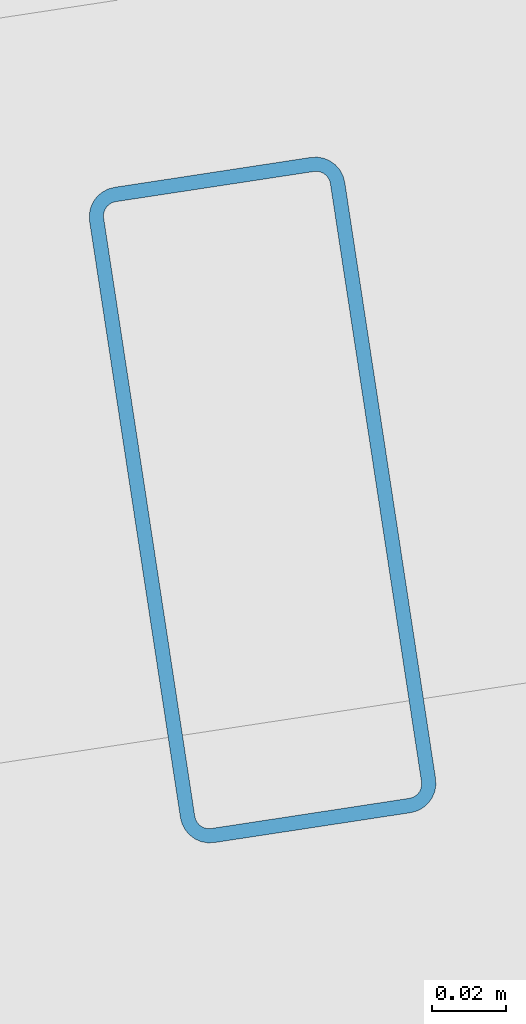
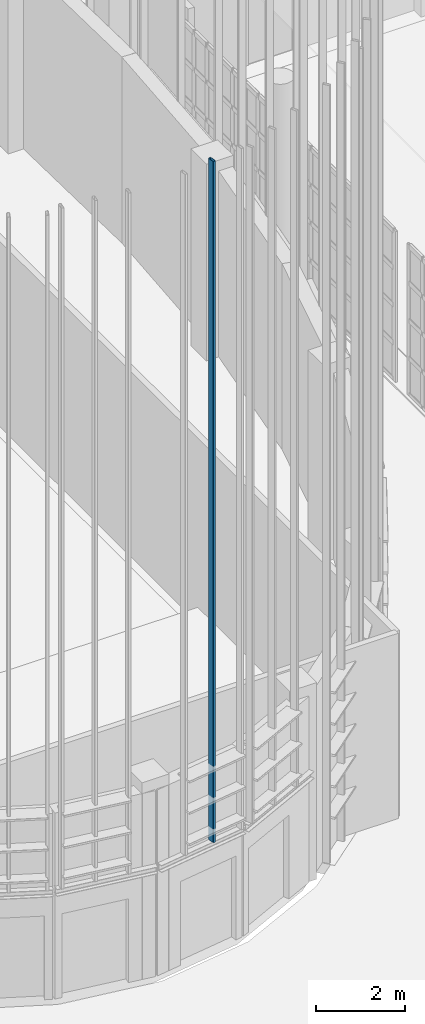
# One storey, part 144 of 372: 1 member.
"""IFC4 building model written with IfcOpenShell, lengths in metres."""

from ifc_helpers import new_model, si_unit, direction, frame, origin, origin_2d, place, context, subcontext, project, spatial, hollow_rectangle, extrude, material, material_profile, profile_set, type_object, element, save


model = new_model("IFC4")

# Units and contexts
model_context = context("Model", 3, precision=1e-05, world=origin(), true_north=direction((0.0, 1.0)))
body_context = subcontext(model_context, "Body", "Model", "MODEL_VIEW")
ifc_project = project(units=[si_unit("LENGTHUNIT", "METRE"), si_unit("AREAUNIT", "SQUARE_METRE"), si_unit("VOLUMEUNIT", "CUBIC_METRE"), si_unit("PLANEANGLEUNIT", "RADIAN"), si_unit("MASSUNIT", "GRAM", prefix="KILO")], contexts=[model_context])

# Site, building, storey
site_placement = place(None, origin())
site = spatial("IfcSite", under=ifc_project, at=site_placement, CompositionType="ELEMENT")
building_placement = place(site_placement, origin())
building = spatial("IfcBuilding", under=site, at=building_placement, Name="Kaelora Sail Theatre", CompositionType="ELEMENT")
storey_placement = place(building_placement, origin())
storey = spatial("IfcBuildingStorey", under=building, at=storey_placement, Name="L00", CompositionType="ELEMENT", Elevation=0.0)

# Member
ifc_material = material(Name="Anodised aluminium 6063-T6", Category="aluminium")
ifc_material_profile = material_profile(ifc_material, hollow_rectangle(XDim=0.070068359375, YDim=0.179931640625, WallThickness=0.00390625, InnerFilletRadius=0.00390625, OuterFilletRadius=0.008056640625, at=origin_2d()), Name="ALU-MULL 70x180x4")
ifc_profile_set = profile_set([ifc_material_profile], Name="Anodised aluminium 6063-T6")
member_type = type_object("IfcMemberType", Name="ARC-MEM-PST-160", PredefinedType="POST", material=ifc_profile_set)
member_placement = place(storey_placement, frame((92.1240234375, 31.22900390625, 3.10009765625), z_axis=(0.0, 0.0, 1.0), x_axis=(-0.988599245884, -0.150570684524, 0.0)))
element("IfcMember", 1, at=member_placement, inside=storey, type_object=member_type, Name="Studio Theatre Sail Drum solar louvre vertical support post C10-2", PredefinedType="POST", context=body_context, shape_type="SweptSolid", body=[
    extrude(hollow_rectangle(XDim=0.070068359375, YDim=0.179931640625, WallThickness=0.00390625, InnerFilletRadius=0.00390625, OuterFilletRadius=0.008056640625, at=origin_2d()), origin(), (0.0, 0.0, 1.0), 18.702392578125),
])

save(model, "model.ifc")
